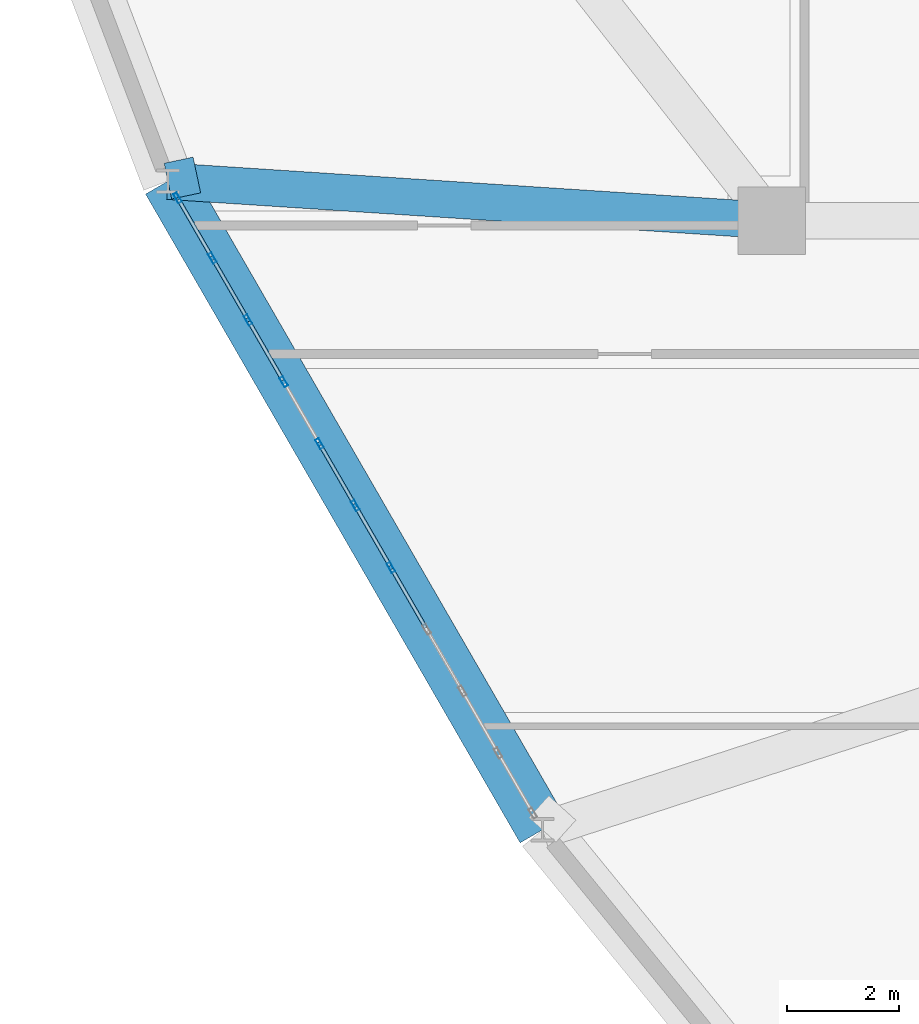
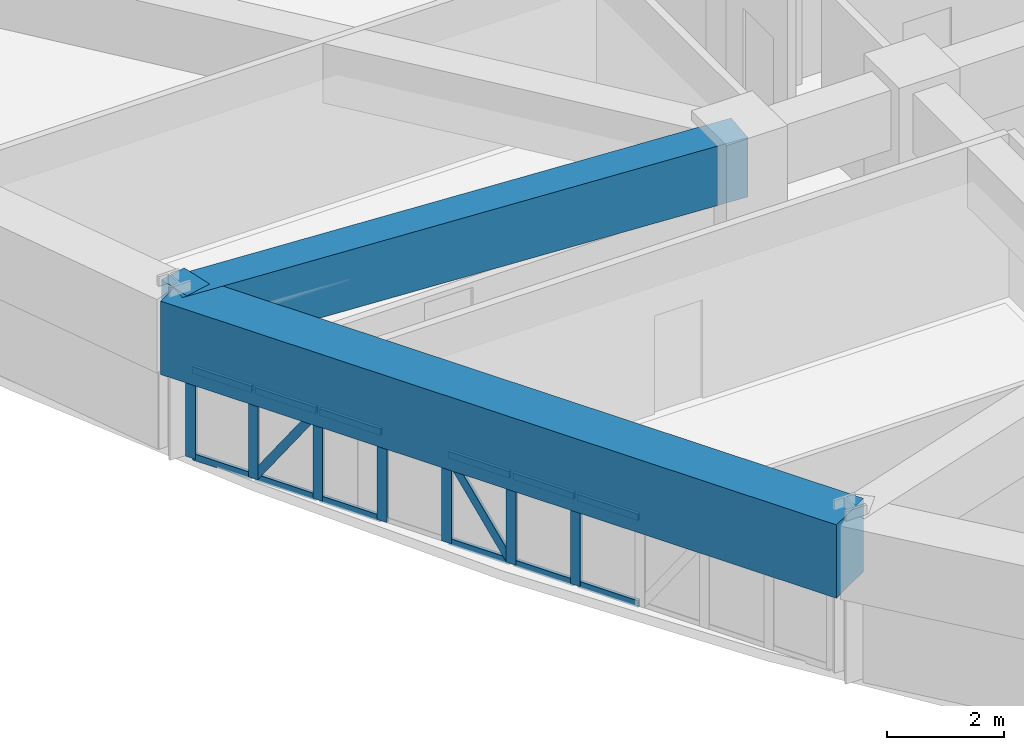
# One storey, part 4 of 16: 21 members, 3 beams, 1 element without a shape of its own.
"""IFC4 building model written with IfcOpenShell, lengths in metres."""

from ifc_helpers import new_model, si_unit, derived_unit, direction, frame, origin, origin_2d, place, context, subcontext, project, spatial, rectangle, hollow_rectangle, extrude, source, transform, mapped, material, layer, layer_set, material_profile, profile_set, type_object, element, aggregate, save


model = new_model("IFC4")

# Units and contexts
model_context = context("Model", 3, precision=1e-05, world=origin(), true_north=direction((0.0, 1.0)))
body_context = subcontext(model_context, "Body", "Model", "MODEL_VIEW")
ifc_project = project(units=[si_unit("LENGTHUNIT", "METRE"), si_unit("AREAUNIT", "SQUARE_METRE"), si_unit("VOLUMEUNIT", "CUBIC_METRE"), si_unit("PLANEANGLEUNIT", "RADIAN"), si_unit("MASSUNIT", "GRAM", prefix="KILO"), derived_unit("THERMALTRANSMITTANCEUNIT", [(si_unit("POWERUNIT", "WATT"), 1), (si_unit("LENGTHUNIT", "METRE"), -2), (si_unit("THERMODYNAMICTEMPERATUREUNIT", "KELVIN"), -1)])], contexts=[model_context])

# Site, building, storey
site_placement = place(None, origin())
site = spatial("IfcSite", under=ifc_project, at=site_placement, CompositionType="ELEMENT")
building_placement = place(site_placement, origin())
building = spatial("IfcBuilding", under=site, at=building_placement, Name="Korsvarv Bourse and Concert Hall", CompositionType="ELEMENT")
storey_placement = place(building_placement, frame((0.0, 0.0, 143.39990234375)))
storey = spatial("IfcBuildingStorey", under=building, at=storey_placement, Name="L36", CompositionType="ELEMENT", Elevation=143.39990234375)

# Beams
ifc_material_1 = material(Name="Concrete C50/60", Category="concrete")
ifc_material_profile_1 = material_profile(ifc_material_1, rectangle(XDim=0.919921875, YDim=1.530029296875, at=origin_2d()), Name="RC-BM 920x1530")
ifc_profile_set_1 = profile_set([ifc_material_profile_1], Name="Concrete C50/60")
beam_type_1 = type_object("IfcBeamType", Name="BM-TR-154", PredefinedType="BEAM", material=ifc_profile_set_1)
shared_shape_1 = source(origin(), body_context, "Body", "SweptSolid", [
    extrude(rectangle(XDim=0.919921875, YDim=1.530029296875, at=origin_2d()), origin(), (0.0, 0.0, 1.0), 13.32763671875),
])
beam_1_placement = place(storey_placement, frame((13.453857421875, 33.1025390625, 2.635009765625), z_axis=(0.500002592159, -0.866023907196, 0.0), x_axis=(0.866023907196, 0.500002592159, 0.0)))
element("IfcBeam", 1, at=beam_1_placement, inside=storey, type_object=beam_type_1, Name="L36 beam B-TR6", PredefinedType="BEAM", context=body_context, shape_type="MappedRepresentation", body=[
    mapped(shared_shape_1, transform((0.0, 0.0, 0.0), scale=1.0)),
])
ifc_material_profile_2 = material_profile(ifc_material_1, rectangle(XDim=0.64990234375, YDim=1.239990234375, at=origin_2d()), Name="RC-BM 650x1240")
ifc_profile_set_2 = profile_set([ifc_material_profile_2], Name="Concrete C50/60")
beam_type_2 = type_object("IfcBeamType", Name="BM-TR-SPN", PredefinedType="BEAM", material=ifc_profile_set_2)
shared_shape_2 = source(origin(), body_context, "Body", "SweptSolid", [
    extrude(rectangle(XDim=0.64990234375, YDim=1.239990234375, at=origin_2d()), origin(), (0.0, 0.0, 1.0), 10.76904296875),
])
beam_2_placement = place(storey_placement, frame((13.453857421875, 33.1025390625, 2.780029296875), z_axis=(0.997869210127, -0.065245992065, 0.0), x_axis=(0.065245992065, 0.997869210127, 0.0)))
element("IfcBeam", 2, at=beam_2_placement, inside=storey, type_object=beam_type_2, Name="L36 beam B-TRS", PredefinedType="BEAM", context=body_context, shape_type="MappedRepresentation", body=[
    mapped(shared_shape_2, transform((0.0, 0.0, 0.0), scale=1.0)),
])
shared_shape_3 = source(origin(), body_context, "Body", "SweptSolid", [
    extrude(rectangle(XDim=0.64990234375, YDim=1.239990234375, at=origin_2d()), origin(), (0.0, 0.0, 1.0), 0.5263671875),
])
beam_3_placement = place(storey_placement, frame((13.453857421875, 33.1025390625, 2.780029296875), z_axis=(0.978268350579, 0.207342794077, 0.0), x_axis=(-0.207342794077, 0.978268350579, 0.0)))
element("IfcBeam", 3, at=beam_3_placement, inside=storey, type_object=beam_type_2, Name="L36 beam B-TRS", PredefinedType="BEAM", context=body_context, shape_type="MappedRepresentation", body=[
    mapped(shared_shape_3, transform((0.0, 0.0, 0.0), scale=1.0)),
])

# Curtain wall, members
ifc_material_2 = material(Name="Anodised aluminium and triple low-E glazing", Category="glass")
ifc_layer = layer(ifc_material_2, 0.2099609375)
ifc_layer_set = layer_set([ifc_layer], Name="Anodised aluminium and triple low-E glazing")
curtain_wall_type = type_object("IfcCurtainWallType", Name="CW-SYS-2", PredefinedType="NOTDEFINED", material=ifc_layer_set)
curtain_wall_placement = place(storey_placement, origin())
curtain_wall = element("IfcCurtainWall", 4, at=curtain_wall_placement, inside=storey, type_object=curtain_wall_type, Name="L36 CW2 curtain wall CW-L36-F07", PredefinedType="NOTDEFINED")
ifc_material_3 = material(Name="Extruded aluminium EN AW-6063 T66", Category="aluminium")
ifc_material_profile_3 = material_profile(ifc_material_3, hollow_rectangle(XDim=0.070068359375, YDim=0.18994140625, WallThickness=0.0048828125, at=origin_2d()), Name="ALU-M 70x190")
ifc_profile_set_3 = profile_set([ifc_material_profile_3], Name="Extruded aluminium EN AW-6063 T66")
member_type_1 = type_object("IfcMemberType", Name="CWM-190", PredefinedType="MULLION", material=ifc_profile_set_3)
shared_shape_4 = source(origin(), body_context, "Body", "SweptSolid", [
    extrude(hollow_rectangle(XDim=0.070068359375, YDim=0.18994140625, WallThickness=0.0048828125, at=origin_2d()), origin(), (0.0, 0.0, 1.0), 1.8701171875),
])
member_1_placement = place(storey_placement, frame((13.625732421875, 32.8046875, 0.0), z_axis=(0.0, 0.0, 1.0), x_axis=(0.866025213439, 0.500000329688, 0.0)))
member_1 = element("IfcMember", 5, at=member_1_placement, type_object=member_type_1, Name="CW2 mullion 1", PredefinedType="MULLION", context=body_context, shape_type="MappedRepresentation", body=[
    mapped(shared_shape_4, transform((0.0, 0.0, 0.0), scale=1.0)),
])
member_2_placement = place(storey_placement, frame((14.243896484375, 31.734375, 0.0), z_axis=(0.0, 0.0, 1.0), x_axis=(0.866025213439, 0.500000329688, 0.0)))
member_2 = element("IfcMember", 6, at=member_2_placement, type_object=member_type_1, Name="CW2 mullion 2", PredefinedType="MULLION", context=body_context, shape_type="MappedRepresentation", body=[
    mapped(shared_shape_4, transform((0.0, 0.0, 0.0), scale=1.0)),
])
member_3_placement = place(storey_placement, frame((14.87939453125, 30.633544921875, 0.0), z_axis=(0.0, 0.0, 1.0), x_axis=(0.866025213439, 0.500000329688, 0.0)))
member_3 = element("IfcMember", 7, at=member_3_placement, type_object=member_type_1, Name="CW2 mullion 3", PredefinedType="MULLION", context=body_context, shape_type="MappedRepresentation", body=[
    mapped(shared_shape_4, transform((0.0, 0.0, 0.0), scale=1.0)),
])
member_4_placement = place(storey_placement, frame((15.5146484375, 29.532958984375, 0.0), z_axis=(0.0, 0.0, 1.0), x_axis=(0.866025213439, 0.500000329688, 0.0)))
member_4 = element("IfcMember", 8, at=member_4_placement, type_object=member_type_1, Name="CW2 mullion 4", PredefinedType="MULLION", context=body_context, shape_type="MappedRepresentation", body=[
    mapped(shared_shape_4, transform((0.0, 0.0, 0.0), scale=1.0)),
])
member_5_placement = place(storey_placement, frame((16.150146484375, 28.43212890625, 0.0), z_axis=(0.0, 0.0, 1.0), x_axis=(0.866025213439, 0.500000329688, 0.0)))
member_5 = element("IfcMember", 9, at=member_5_placement, type_object=member_type_1, Name="CW2 mullion 5", PredefinedType="MULLION", context=body_context, shape_type="MappedRepresentation", body=[
    mapped(shared_shape_4, transform((0.0, 0.0, 0.0), scale=1.0)),
])
member_6_placement = place(storey_placement, frame((16.78564453125, 27.33154296875, 0.0), z_axis=(0.0, 0.0, 1.0), x_axis=(0.866025213439, 0.500000329688, 0.0)))
member_6 = element("IfcMember", 10, at=member_6_placement, type_object=member_type_1, Name="CW2 mullion 6", PredefinedType="MULLION", context=body_context, shape_type="MappedRepresentation", body=[
    mapped(shared_shape_4, transform((0.0, 0.0, 0.0), scale=1.0)),
])
member_7_placement = place(storey_placement, frame((17.421142578125, 26.230712890625, 0.0), z_axis=(0.0, 0.0, 1.0), x_axis=(0.866025213439, 0.500000329688, 0.0)))
member_7 = element("IfcMember", 11, at=member_7_placement, type_object=member_type_1, Name="CW2 mullion 7", PredefinedType="MULLION", context=body_context, shape_type="MappedRepresentation", body=[
    mapped(shared_shape_4, transform((0.0, 0.0, 0.0), scale=1.0)),
])
ifc_material_profile_4 = material_profile(ifc_material_3, hollow_rectangle(XDim=0.06494140625, YDim=0.139892578125, WallThickness=0.00390625, at=origin_2d()), Name="ALU-T 65x140")
ifc_profile_set_4 = profile_set([ifc_material_profile_4], Name="Extruded aluminium EN AW-6063 T66")
member_type_2 = type_object("IfcMemberType", Name="CWT-140", PredefinedType="USERDEFINED", material=ifc_profile_set_4)
shared_shape_5 = source(origin(), body_context, "Body", "SweptSolid", [
    extrude(hollow_rectangle(XDim=0.06494140625, YDim=0.139892578125, WallThickness=0.00390625, at=origin_2d()), origin(), (0.0, 0.0, 1.0), 1.166015625),
])
member_8_placement = place(storey_placement, frame((13.643310546875, 32.7744140625, 0.03271484375), z_axis=(0.500012451049, -0.866018215049, 0.0), x_axis=(0.866018215049, 0.500012451049, 0.0)))
member_8 = element("IfcMember", 12, at=member_8_placement, type_object=member_type_2, Name="CW2 transom 1.1", ObjectType="TRANSOM", PredefinedType="USERDEFINED", context=body_context, shape_type="MappedRepresentation", body=[
    mapped(shared_shape_5, transform((0.0, 0.0, 0.0), scale=1.0)),
])
member_9_placement = place(storey_placement, frame((13.643310546875, 32.7744140625, 1.837646484375), z_axis=(0.500012451049, -0.866018215049, 0.0), x_axis=(0.866018215049, 0.500012451049, 0.0)))
member_9 = element("IfcMember", 13, at=member_9_placement, type_object=member_type_2, Name="CW2 transom 1.2", ObjectType="TRANSOM", PredefinedType="USERDEFINED", context=body_context, shape_type="MappedRepresentation", body=[
    mapped(shared_shape_5, transform((0.0, 0.0, 0.0), scale=1.0)),
])
shared_shape_6 = source(origin(), body_context, "Body", "SweptSolid", [
    extrude(hollow_rectangle(XDim=0.06494140625, YDim=0.139892578125, WallThickness=0.00390625, at=origin_2d()), origin(), (0.0, 0.0, 1.0), 1.201171875),
])
member_10_placement = place(storey_placement, frame((14.26123046875, 31.7041015625, 0.03271484375), z_axis=(0.499986357472, -0.866033280158, 0.0), x_axis=(0.866033280158, 0.499986357472, 0.0)))
member_10 = element("IfcMember", 14, at=member_10_placement, type_object=member_type_2, Name="CW2 transom 2.1", ObjectType="TRANSOM", PredefinedType="USERDEFINED", context=body_context, shape_type="MappedRepresentation", body=[
    mapped(shared_shape_6, transform((0.0, 0.0, 0.0), scale=1.0)),
])
member_11_placement = place(storey_placement, frame((14.26123046875, 31.7041015625, 1.837646484375), z_axis=(0.499986357472, -0.866033280158, 0.0), x_axis=(0.866033280158, 0.499986357472, 0.0)))
member_11 = element("IfcMember", 15, at=member_11_placement, type_object=member_type_2, Name="CW2 transom 2.2", ObjectType="TRANSOM", PredefinedType="USERDEFINED", context=body_context, shape_type="MappedRepresentation", body=[
    mapped(shared_shape_6, transform((0.0, 0.0, 0.0), scale=1.0)),
])
ifc_material_profile_5 = material_profile(ifc_material_3, hollow_rectangle(XDim=0.06494140625, YDim=0.1650390625, WallThickness=0.0048828125, at=origin_2d()), Name="ALU-M 65x165")
ifc_profile_set_5 = profile_set([ifc_material_profile_5], Name="Extruded aluminium EN AW-6063 T66")
member_type_3 = type_object("IfcMemberType", Name="CWM-165", PredefinedType="MULLION", material=ifc_profile_set_5)
shared_shape_7 = source(origin(), body_context, "Body", "SweptSolid", [
    extrude(hollow_rectangle(XDim=0.06494140625, YDim=0.1650390625, WallThickness=0.0048828125, at=origin_2d()), origin(), (0.0, 0.0, 1.0), 2.1142578125),
])
member_12_placement = place(storey_placement, frame((14.26123046875, 31.7041015625, 0.065185546875), z_axis=(0.284052829145, -0.492011831295, 0.822944924111), x_axis=(0.866033280158, 0.499986357472, 0.0)))
member_12 = element("IfcMember", 16, at=member_12_placement, type_object=member_type_3, Name="CW2 diagonal mullion 2", PredefinedType="MULLION", context=body_context, shape_type="MappedRepresentation", body=[
    mapped(shared_shape_7, transform((0.0, 0.0, 0.0), scale=1.0)),
])
member_13_placement = place(storey_placement, frame((16.768310546875, 27.36181640625, 0.065185546875), z_axis=(-0.284068966216, 0.49192430735, 0.8229916757), x_axis=(-0.865982457891, -0.500074377092, 0.0)))
member_13 = element("IfcMember", 17, at=member_13_placement, type_object=member_type_3, Name="CW2 diagonal mullion 5", PredefinedType="MULLION", context=body_context, shape_type="MappedRepresentation", body=[
    mapped(shared_shape_7, transform((0.0, 0.0, 0.0), scale=1.0)),
])
shared_shape_8 = source(origin(), body_context, "Body", "SweptSolid", [
    extrude(hollow_rectangle(XDim=0.06494140625, YDim=0.139892578125, WallThickness=0.00390625, at=origin_2d()), origin(), (0.0, 0.0, 1.0), 1.200927734375),
])
member_14_placement = place(storey_placement, frame((14.896728515625, 30.603271484375, 0.03271484375), z_axis=(0.500074377092, -0.865982457891, 0.0), x_axis=(0.865982457891, 0.500074377092, 0.0)))
member_14 = element("IfcMember", 18, at=member_14_placement, type_object=member_type_2, Name="CW2 transom 3.1", ObjectType="TRANSOM", PredefinedType="USERDEFINED", context=body_context, shape_type="MappedRepresentation", body=[
    mapped(shared_shape_8, transform((0.0, 0.0, 0.0), scale=1.0)),
])
member_15_placement = place(storey_placement, frame((14.896728515625, 30.603271484375, 1.837646484375), z_axis=(0.500074377092, -0.865982457891, 0.0), x_axis=(0.865982457891, 0.500074377092, 0.0)))
member_15 = element("IfcMember", 19, at=member_15_placement, type_object=member_type_2, Name="CW2 transom 3.2", ObjectType="TRANSOM", PredefinedType="USERDEFINED", context=body_context, shape_type="MappedRepresentation", body=[
    mapped(shared_shape_8, transform((0.0, 0.0, 0.0), scale=1.0)),
])
member_16_placement = place(storey_placement, frame((16.167724609375, 28.40185546875, 0.03271484375), z_axis=(0.500074377092, -0.865982457891, 0.0), x_axis=(0.865982457891, 0.500074377092, 0.0)))
member_16 = element("IfcMember", 20, at=member_16_placement, type_object=member_type_2, Name="CW2 transom 5.1", ObjectType="TRANSOM", PredefinedType="USERDEFINED", context=body_context, shape_type="MappedRepresentation", body=[
    mapped(shared_shape_8, transform((0.0, 0.0, 0.0), scale=1.0)),
])
member_17_placement = place(storey_placement, frame((16.167724609375, 28.40185546875, 1.837646484375), z_axis=(0.500074377092, -0.865982457891, 0.0), x_axis=(0.865982457891, 0.500074377092, 0.0)))
member_17 = element("IfcMember", 21, at=member_17_placement, type_object=member_type_2, Name="CW2 transom 5.2", ObjectType="TRANSOM", PredefinedType="USERDEFINED", context=body_context, shape_type="MappedRepresentation", body=[
    mapped(shared_shape_8, transform((0.0, 0.0, 0.0), scale=1.0)),
])
member_18_placement = place(storey_placement, frame((16.80322265625, 27.30126953125, 0.03271484375), z_axis=(0.500074377092, -0.865982457891, 0.0), x_axis=(0.865982457891, 0.500074377092, 0.0)))
member_18 = element("IfcMember", 22, at=member_18_placement, type_object=member_type_2, Name="CW2 transom 6.1", ObjectType="TRANSOM", PredefinedType="USERDEFINED", context=body_context, shape_type="MappedRepresentation", body=[
    mapped(shared_shape_8, transform((0.0, 0.0, 0.0), scale=1.0)),
])
member_19_placement = place(storey_placement, frame((16.80322265625, 27.30126953125, 1.837646484375), z_axis=(0.500074377092, -0.865982457891, 0.0), x_axis=(0.865982457891, 0.500074377092, 0.0)))
member_19 = element("IfcMember", 23, at=member_19_placement, type_object=member_type_2, Name="CW2 transom 6.2", ObjectType="TRANSOM", PredefinedType="USERDEFINED", context=body_context, shape_type="MappedRepresentation", body=[
    mapped(shared_shape_8, transform((0.0, 0.0, 0.0), scale=1.0)),
])
member_20_placement = place(storey_placement, frame((17.438720703125, 26.200439453125, 0.03271484375), z_axis=(0.500074377092, -0.865982457891, 0.0), x_axis=(0.865982457891, 0.500074377092, 0.0)))
member_20 = element("IfcMember", 24, at=member_20_placement, type_object=member_type_2, Name="CW2 transom 7.1", ObjectType="TRANSOM", PredefinedType="USERDEFINED", context=body_context, shape_type="MappedRepresentation", body=[
    mapped(shared_shape_8, transform((0.0, 0.0, 0.0), scale=1.0)),
])
member_21_placement = place(storey_placement, frame((17.438720703125, 26.200439453125, 1.837646484375), z_axis=(0.500074377092, -0.865982457891, 0.0), x_axis=(0.865982457891, 0.500074377092, 0.0)))
member_21 = element("IfcMember", 25, at=member_21_placement, type_object=member_type_2, Name="CW2 transom 7.2", ObjectType="TRANSOM", PredefinedType="USERDEFINED", context=body_context, shape_type="MappedRepresentation", body=[
    mapped(shared_shape_8, transform((0.0, 0.0, 0.0), scale=1.0)),
])
aggregate(curtain_wall, [member_1, member_2, member_3, member_4, member_5, member_6, member_7, member_8, member_9, member_10, member_11, member_12, member_14, member_15, member_16, member_17, member_13, member_18, member_19, member_20, member_21])

save(model, "model.ifc")
